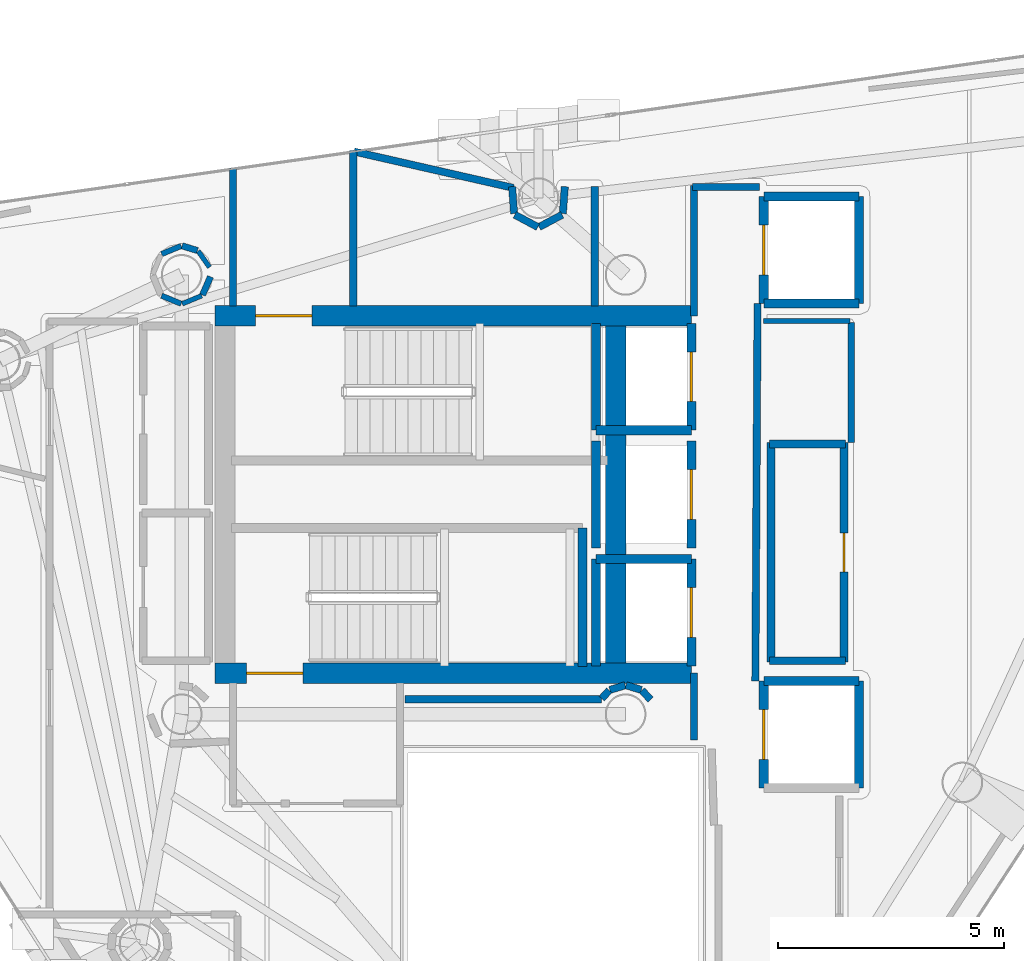
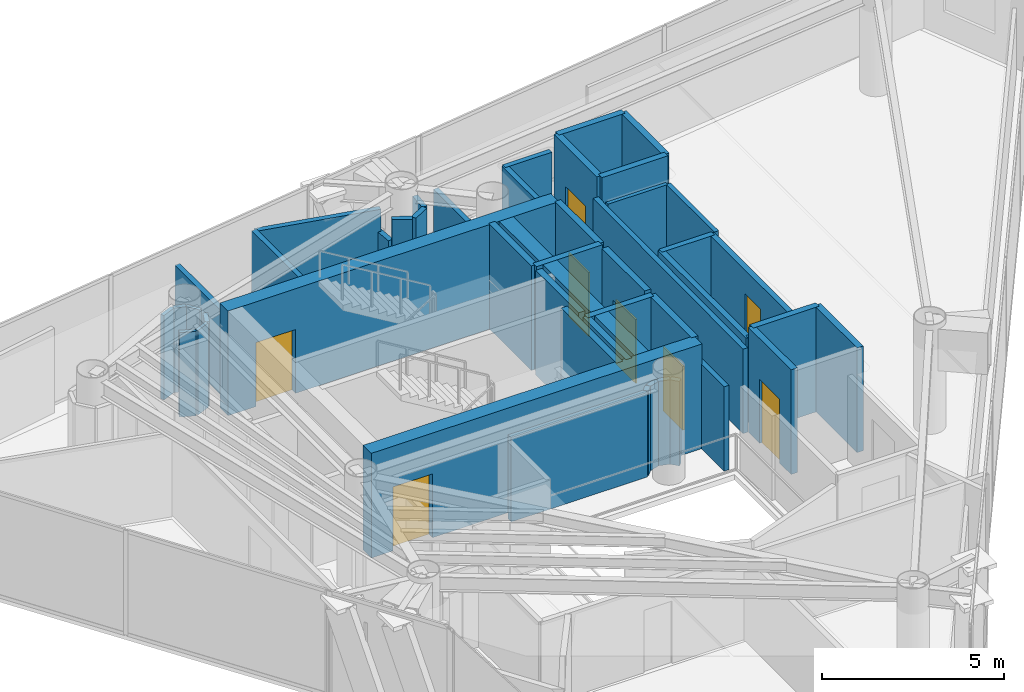
# One storey, part 21 of 25: 48 walls, 8 doors, 8 openings.
"""IFC4 building model written with IfcOpenShell, lengths in metres."""

from ifc_helpers import new_model, si_unit, direction, frame, frame_2d, origin, place, context, subcontext, project, spatial, rectangle, extrude, material, layer, layer_set, type_object, element, fill, save


model = new_model("IFC4")

# Units and contexts
model_context = context("Model", 3, precision=1e-05, world=origin(), true_north=direction((0.0, 1.0)))
body_context = subcontext(model_context, "Body", "Model", "MODEL_VIEW")
ifc_project = project(units=[si_unit("LENGTHUNIT", "METRE"), si_unit("AREAUNIT", "SQUARE_METRE"), si_unit("VOLUMEUNIT", "CUBIC_METRE"), si_unit("PLANEANGLEUNIT", "RADIAN"), si_unit("MASSUNIT", "GRAM", prefix="KILO")], contexts=[model_context])

# Site, building, storey
site_placement = place(None, origin())
site = spatial("IfcSite", under=ifc_project, at=site_placement, CompositionType="ELEMENT")
building_placement = place(site_placement, origin())
building = spatial("IfcBuilding", under=site, at=building_placement, Name="Qianvela Tower", CompositionType="ELEMENT")
storey_placement = place(building_placement, frame((0.0, 0.0, 295.39990234375)))
storey = spatial("IfcBuildingStorey", under=building, at=storey_placement, Name="L76", CompositionType="ELEMENT", Elevation=295.39990234375)

# Wall, opening, door
ifc_material_1 = material(Name="Concrete C50", Category="concrete")
ifc_layer_1 = layer(ifc_material_1, 0.449951171875)
ifc_layer_set_1 = layer_set([ifc_layer_1], Name="Concrete C50")
wall_type_1 = type_object("IfcWallType", Name="WT-CORE-450", PredefinedType="SHEAR", material=ifc_layer_set_1)
wall_1_placement = place(storey_placement, frame((29.330078125, 32.64501953125, 0.0), z_axis=(0.0, 0.0, 1.0), x_axis=(1.0, 0.0, 0.0)))
wall_1 = element("IfcWall", 1, at=wall_1_placement, inside=storey, type_object=wall_type_1, Name="L76 North Core Shear Wall", PredefinedType="SHEAR", context=body_context, shape_type="SweptSolid", body=[
    extrude(rectangle(XDim=10.52001953125, YDim=0.449951171875, at=frame_2d((5.260009765625, 0.0))), origin(), (0.0, 0.0, 1.0), 3.52001953125),
])
opening_1_placement = place(wall_1_placement, frame((0.89501953125, 0.0, 0.0)))
opening_1 = element("IfcOpeningElement", 2, at=opening_1_placement, cuts=wall_1, Name="Opening D-ST1", PredefinedType="OPENING", context=body_context, shape_type="SweptSolid", body=[
    extrude(rectangle(XDim=1.25, YDim=2.14990234375, at=frame_2d((0.625, 1.074951171875))), frame((0.0, 0.23486328125, 0.0), z_axis=(0.0, -1.0, 0.0), x_axis=(1.0, 0.0, 0.0)), (0.0, 0.0, 1.0), 0.469970703125),
])
ifc_material_2 = material(Name="Galvanised Fire Steel Q355B", Category="steel")
door_type_1 = type_object("IfcDoorType", Name="DT-STAIR-FD90", OperationType="NOTDEFINED", PredefinedType="DOOR", material=ifc_material_2)
door_1_placement = place(opening_1_placement, origin())
door_1 = element("IfcDoor", 3, at=door_1_placement, inside=storey, type_object=door_type_1, Name="L76 Stair ST-1 Exit Door", OperationType="SINGLE_SWING_RIGHT", OverallHeight=2.14990234375, OverallWidth=1.25, PredefinedType="DOOR", context=body_context, shape_type="SweptSolid", body=[
    extrude(rectangle(XDim=1.25, YDim=2.14990234375, at=frame_2d((0.625, 1.074951171875))), frame((0.0, 0.02490234375, 0.0), z_axis=(0.0, -1.0, 0.0), x_axis=(1.0, 0.0, 0.0)), (0.0, 0.0, 1.0), 0.050048828125),
])
fill(opening_1, door_1)

wall_2_placement = place(storey_placement, frame((29.330078125, 24.7548828125, 0.0), z_axis=(0.0, 0.0, 1.0), x_axis=(1.0, 0.0, 0.0)))
wall_2 = element("IfcWall", 4, at=wall_2_placement, inside=storey, type_object=wall_type_1, Name="L76 South Core Shear Wall", PredefinedType="SHEAR", context=body_context, shape_type="SweptSolid", body=[
    extrude(rectangle(XDim=10.52001953125, YDim=0.449951171875, at=frame_2d((5.260009765625, 0.0))), origin(), (0.0, 0.0, 1.0), 3.52001953125),
])
opening_2_placement = place(wall_2_placement, frame((0.695068359375, 0.0, 0.0)))
opening_2 = element("IfcOpeningElement", 5, at=opening_2_placement, cuts=wall_2, Name="Opening D-ST1", PredefinedType="OPENING", context=body_context, shape_type="SweptSolid", body=[
    extrude(rectangle(XDim=1.25, YDim=2.14990234375, at=frame_2d((0.625, 1.074951171875))), frame((0.0, 0.23486328125, 0.0), z_axis=(0.0, -1.0, 0.0), x_axis=(1.0, 0.0, 0.0)), (0.0, 0.0, 1.0), 0.469970703125),
])
door_2_placement = place(opening_2_placement, origin())
door_2 = element("IfcDoor", 6, at=door_2_placement, inside=storey, type_object=door_type_1, Name="L76 Stair ST-2 Exit Door", OperationType="SINGLE_SWING_RIGHT", OverallHeight=2.14990234375, OverallWidth=1.25, PredefinedType="DOOR", context=body_context, shape_type="SweptSolid", body=[
    extrude(rectangle(XDim=1.25, YDim=2.14990234375, at=frame_2d((0.625, 1.074951171875))), frame((0.0, 0.02490234375, 0.0), z_axis=(0.0, -1.0, 0.0), x_axis=(1.0, 0.0, 0.0)), (0.0, 0.0, 1.0), 0.050048828125),
])
fill(opening_2, door_2)

# Walls
wall_3_placement = place(storey_placement, frame((38.179931640625, 24.97998046875, 0.0), z_axis=(0.0, 0.0, 1.0), x_axis=(0.0, 1.0, 0.0)))
element("IfcWall", 7, at=wall_3_placement, inside=storey, type_object=wall_type_1, Name="L76 East Spine Core Shear Wall", PredefinedType="SHEAR", context=body_context, shape_type="SweptSolid", body=[
    extrude(rectangle(XDim=7.43994140625, YDim=0.449951171875, at=frame_2d((3.719970703125, 0.0))), origin(), (0.0, 0.0, 1.0), 3.52001953125),
])
ifc_material_3 = material(Name="Fire-Rated Gypsum and Concrete Block", Category="concrete")
ifc_layer_2 = layer(ifc_material_3, 0.159912109375)
ifc_layer_set_2 = layer_set([ifc_layer_2], Name="Fire-Rated Gypsum and Concrete Block")
wall_type_2 = type_object("IfcWallType", Name="WT-CORR-160", PredefinedType="PARTITIONING", material=ifc_layer_set_2)
wall_4_placement = place(storey_placement, frame((29.73095703125, 32.85791015625, 0.0), z_axis=(0.0, 0.0, 1.0), x_axis=(0.0, 1.0, 0.0)))
element("IfcWall", 8, at=wall_4_placement, inside=storey, type_object=wall_type_2, Name="L76 Partition 2", PredefinedType="PARTITIONING", context=body_context, shape_type="SweptSolid", body=[
    extrude(rectangle(XDim=3.052734375, YDim=0.159912109375, at=frame_2d((1.5263671875, 0.0))), origin(), (0.0, 0.0, 1.0), 2.840087890625),
])
wall_5_placement = place(storey_placement, frame((32.388916015625, 36.290283203125, 0.0), z_axis=(0.0, 0.0, 1.0), x_axis=(0.0, -1.0, 0.0)))
element("IfcWall", 9, at=wall_5_placement, inside=storey, type_object=wall_type_2, Name="L76 Partition 4", PredefinedType="PARTITIONING", context=body_context, shape_type="SweptSolid", body=[
    extrude(rectangle(XDim=3.432373046875, YDim=0.159912109375, at=frame_2d((1.71630859375, 0.0))), origin(), (0.0, 0.0, 1.0), 2.840087890625),
])
wall_6_placement = place(storey_placement, frame((39.910888671875, 23.280029296875, 0.0), z_axis=(0.0, 0.0, 1.0), x_axis=(0.0, 1.0, 0.0)))
element("IfcWall", 10, at=wall_6_placement, inside=storey, type_object=wall_type_2, Name="L76 Partition 10", PredefinedType="PARTITIONING", context=body_context, shape_type="SweptSolid", body=[
    extrude(rectangle(XDim=1.47998046875, YDim=0.159912109375, at=frame_2d((0.739990234375, 0.0))), origin(), (0.0, 0.0, 1.0), 2.840087890625),
])
wall_7_placement = place(storey_placement, frame((39.910888671875, 32.639892578125, 0.0), z_axis=(0.0, 0.0, 1.0), x_axis=(0.0, 1.0, 0.0)))
element("IfcWall", 11, at=wall_7_placement, inside=storey, type_object=wall_type_2, Name="L76 Partition 12", PredefinedType="PARTITIONING", context=body_context, shape_type="SweptSolid", body=[
    extrude(rectangle(XDim=2.880126953125, YDim=0.159912109375, at=frame_2d((1.43994140625, 0.0))), origin(), (0.0, 0.0, 1.0), 2.840087890625),
])
wall_8_placement = place(storey_placement, frame((39.8798828125, 35.489013671875, 0.0), z_axis=(0.0, 0.0, 1.0), x_axis=(1.0, 0.0, 0.0)))
element("IfcWall", 12, at=wall_8_placement, inside=storey, type_object=wall_type_2, Name="L76 Partition 13", PredefinedType="PARTITIONING", context=body_context, shape_type="SweptSolid", body=[
    extrude(rectangle(XDim=1.480224609375, YDim=0.159912109375, at=frame_2d((0.740234375, 0.0))), origin(), (0.0, 0.0, 1.0), 2.840087890625),
])
wall_9_placement = place(storey_placement, frame((41.3134765625, 32.919921875, 0.0), z_axis=(0.0, 0.0, 1.0), x_axis=(-0.005942518022, -0.999982343084, 0.0)))
element("IfcWall", 13, at=wall_9_placement, inside=storey, type_object=wall_type_2, Name="L76 Partition 14 seg 2", PredefinedType="PARTITIONING", context=body_context, shape_type="SweptSolid", body=[
    extrude(rectangle(XDim=8.340087890625, YDim=0.159912109375, at=frame_2d((4.169921875, 0.0))), origin(), (0.0, 0.0, 1.0), 2.840087890625),
])
wall_10_placement = place(storey_placement, frame((38.950927734375, 24.1708984375, 0.0), z_axis=(0.0, 0.0, 1.0), x_axis=(-0.674186852077, 0.738560822469, 0.0)))
element("IfcWall", 14, at=wall_10_placement, inside=storey, type_object=wall_type_2, Name="L76 Partition 33", PredefinedType="PARTITIONING", context=body_context, shape_type="SweptSolid", body=[
    extrude(rectangle(XDim=0.28076171875, YDim=0.159912109375, at=frame_2d((0.140380859375, 0.0))), origin(), (0.0, 0.0, 1.0), 2.840087890625),
])
wall_11_placement = place(storey_placement, frame((38.747802734375, 24.386962890625, 0.0), z_axis=(0.0, 0.0, 1.0), x_axis=(-0.956948991291, 0.290256142171, 0.0)))
element("IfcWall", 15, at=wall_11_placement, inside=storey, type_object=wall_type_2, Name="L76 Partition 34", PredefinedType="PARTITIONING", context=body_context, shape_type="SweptSolid", body=[
    extrude(rectangle(XDim=0.35400390625, YDim=0.159912109375, at=frame_2d((0.177001953125, 0.0))), origin(), (0.0, 0.0, 1.0), 2.840087890625),
])
wall_12_placement = place(storey_placement, frame((38.39111328125, 24.48974609375, 0.0), z_axis=(0.0, 0.0, 1.0), x_axis=(-0.957007018611, -0.290064762301, 0.0)))
element("IfcWall", 16, at=wall_12_placement, inside=storey, type_object=wall_type_2, Name="L76 Partition 35", PredefinedType="PARTITIONING", context=body_context, shape_type="SweptSolid", body=[
    extrude(rectangle(XDim=0.354248046875, YDim=0.159912109375, at=frame_2d((0.17724609375, 0.0))), origin(), (0.0, 0.0, 1.0), 2.840087890625),
])
wall_13_placement = place(storey_placement, frame((38.0380859375, 24.378173828125, 0.0), z_axis=(0.0, 0.0, 1.0), x_axis=(-0.673658387955, -0.739042878551, 0.0)))
element("IfcWall", 17, at=wall_13_placement, inside=storey, type_object=wall_type_2, Name="L76 Partition 36", PredefinedType="PARTITIONING", context=body_context, shape_type="SweptSolid", body=[
    extrude(rectangle(XDim=0.246337890625, YDim=0.159912109375, at=frame_2d((0.123046875, 0.0))), origin(), (0.0, 0.0, 1.0), 2.840087890625),
])
wall_14_placement = place(storey_placement, frame((37.8720703125, 24.180908203125, 0.0), z_axis=(0.0, 0.0, 1.0), x_axis=(-1.0, 0.0, 0.0)))
element("IfcWall", 18, at=wall_14_placement, inside=storey, type_object=wall_type_2, Name="L76 Partition 37", PredefinedType="PARTITIONING", context=body_context, shape_type="SweptSolid", body=[
    extrude(rectangle(XDim=4.342041015625, YDim=0.159912109375, at=frame_2d((2.1708984375, 0.0))), origin(), (0.0, 0.0, 1.0), 2.840087890625),
])
wall_15_placement = place(storey_placement, frame((32.4052734375, 36.2724609375, 0.0), z_axis=(0.0, 0.0, 1.0), x_axis=(0.974921840823, -0.222547532645, 0.0)))
element("IfcWall", 19, at=wall_15_placement, inside=storey, type_object=wall_type_2, Name="L76 Partition 51", PredefinedType="PARTITIONING", context=body_context, shape_type="SweptSolid", body=[
    extrude(rectangle(XDim=3.6103515625, YDim=0.159912109375, at=frame_2d((1.80517578125, 0.0))), origin(), (0.0, 0.0, 1.0), 2.840087890625),
])
wall_16_placement = place(storey_placement, frame((35.89404296875, 35.497802734375, 0.0), z_axis=(0.0, 0.0, 1.0), x_axis=(0.07354059826, -0.997292224179, 0.0)))
element("IfcWall", 20, at=wall_16_placement, inside=storey, type_object=wall_type_2, Name="L76 Partition 52", PredefinedType="PARTITIONING", context=body_context, shape_type="SweptSolid", body=[
    extrude(rectangle(XDim=0.59765625, YDim=0.159912109375, at=frame_2d((0.298828125, 0.0))), origin(), (0.0, 0.0, 1.0), 2.09521484375),
])
for number, where, z_axis, x_axis, name in (
    (21, (35.9541015625, 34.876708984375, 0.0), (0.0, 0.0, 1.0), (0.882047254832, -0.471160949405, 0.0), "L76 Partition 53"),
    (22, (36.490478515625, 34.605712890625, 0.0), (0.0, 0.0, 1.0), (0.882047254832, 0.471160949405, 0.0), "L76 Partition 54"),
):
    element("IfcWall", number, at=place(storey_placement, frame(where, z_axis=z_axis, x_axis=x_axis)), inside=storey, type_object=wall_type_2, Name=name, PredefinedType="PARTITIONING", context=body_context, shape_type="SweptSolid", body=[
        extrude(rectangle(XDim=0.5751953125, YDim=0.159912109375, at=frame_2d((0.28759765625, 0.0))), origin(), (0.0, 0.0, 1.0), 2.840087890625),
    ])
wall_17_placement = place(storey_placement, frame((37.01416015625, 34.90185546875, 0.0), z_axis=(0.0, 0.0, 1.0), x_axis=(0.073134230676, 0.997322106595, 0.0)))
element("IfcWall", 23, at=wall_17_placement, inside=storey, type_object=wall_type_2, Name="L76 Partition 55", PredefinedType="PARTITIONING", context=body_context, shape_type="SweptSolid", body=[
    extrude(rectangle(XDim=0.59765625, YDim=0.159912109375, at=frame_2d((0.298828125, 0.0))), origin(), (0.0, 0.0, 1.0), 2.840087890625),
])
wall_18_placement = place(storey_placement, frame((37.718994140625, 35.5, 0.0), z_axis=(0.0, 0.0, 1.0), x_axis=(0.0, -1.0, 0.0)))
element("IfcWall", 24, at=wall_18_placement, inside=storey, type_object=wall_type_2, Name="L76 Partition 57", PredefinedType="PARTITIONING", context=body_context, shape_type="SweptSolid", body=[
    extrude(rectangle(XDim=2.64208984375, YDim=0.159912109375, at=frame_2d((1.321044921875, 0.0))), origin(), (0.0, 0.0, 1.0), 2.840087890625),
])
ifc_material_4 = material(Name="Lightweight Gypsum Room Partition")
ifc_layer_3 = layer(ifc_material_4, 0.10498046875)
ifc_layer_set_3 = layer_set([ifc_layer_3], Name="Lightweight Gypsum Room Partition")
wall_type_3 = type_object("IfcWallType", Name="WT-PART-105", PredefinedType="PARTITIONING", material=ifc_layer_set_3)
wall_19_placement = place(storey_placement, frame((29.214111328125, 33.71875, 0.0), z_axis=(0.0, 0.0, 1.0), x_axis=(-0.57410245878, 0.818783467605, 0.0)))
element("IfcWall", 25, at=wall_19_placement, inside=storey, type_object=wall_type_3, Name="L76 Partition 131", PredefinedType="PARTITIONING", context=body_context, shape_type="SweptSolid", body=[
    extrude(rectangle(XDim=0.43505859375, YDim=0.10498046875, at=frame_2d((0.217529296875, 0.0))), origin(), (0.0, 0.0, 1.0), 2.840087890625),
])
wall_20_placement = place(storey_placement, frame((28.61181640625, 32.911376953125, 0.0), z_axis=(0.0, 0.0, 1.0), x_axis=(0.923863886655, 0.382721202621, 0.0)))
element("IfcWall", 26, at=wall_20_placement, inside=storey, type_object=wall_type_3, Name="L76 Partition 137", PredefinedType="PARTITIONING", context=body_context, shape_type="SweptSolid", body=[
    extrude(rectangle(XDim=0.467041015625, YDim=0.10498046875, at=frame_2d((0.2333984375, 0.0))), origin(), (0.0, 0.0, 1.0), 2.840087890625),
])
ifc_material_5 = material(Name="Insulated Gypsum Stud Partition")
ifc_layer_4 = layer(ifc_material_5, 0.1201171875)
ifc_layer_set_4 = layer_set([ifc_layer_4], Name="Insulated Gypsum Stud Partition")
wall_type_4 = type_object("IfcWallType", Name="WT-PART-120", PredefinedType="PARTITIONING", material=ifc_layer_set_4)
wall_21_placement = place(storey_placement, frame((43.35009765625, 32.531005859375, 0.0), z_axis=(0.0, 0.0, 1.0), x_axis=(-1.0, 0.0, 0.0)))
element("IfcWall", 27, at=wall_21_placement, inside=storey, type_object=wall_type_4, Name="L76 Partition 97", PredefinedType="PARTITIONING", context=body_context, shape_type="SweptSolid", body=[
    extrude(rectangle(XDim=1.91015625, YDim=0.1201171875, at=frame_2d((0.955078125, 0.0))), origin(), (0.0, 0.0, 1.0), 2.840087890625),
])
for number, where, z_axis, x_axis, name in (
    (28, (28.588134765625, 34.188720703125, 0.0), (0.0, 0.0, 1.0), (-0.923863886655, -0.382721202621, 0.0), "L76 Partition 133"),
    (29, (28.15673828125, 33.090087890625, 0.0), (0.0, 0.0, 1.0), (0.923863886655, -0.382721202621, 0.0), "L76 Partition 136"),
):
    element("IfcWall", number, at=place(storey_placement, frame(where, z_axis=z_axis, x_axis=x_axis)), inside=storey, type_object=wall_type_4, Name=name, PredefinedType="PARTITIONING", context=body_context, shape_type="SweptSolid", body=[
        extrude(rectangle(XDim=0.467041015625, YDim=0.1201171875, at=frame_2d((0.2333984375, 0.0))), origin(), (0.0, 0.0, 1.0), 2.840087890625),
    ])
ifc_material_6 = material(Name="Moisture-Resistant Acoustic Plumbing Wall")
ifc_layer_5 = layer(ifc_material_6, 0.175048828125)
ifc_layer_set_5 = layer_set([ifc_layer_5], Name="Moisture-Resistant Acoustic Plumbing Wall")
wall_type_5 = type_object("IfcWallType", Name="WT-PLUMB-175", PredefinedType="PLUMBINGWALL", material=ifc_layer_set_5)
wall_22_placement = place(storey_placement, frame((43.25, 25.031005859375, 0.0), z_axis=(0.0, 0.0, 1.0), x_axis=(-1.0, 0.0, 0.0)))
element("IfcWall", 30, at=wall_22_placement, inside=storey, type_object=wall_type_5, Name="L76 Partition 19", PredefinedType="PLUMBINGWALL", context=body_context, shape_type="SweptSolid", body=[
    extrude(rectangle(XDim=1.669921875, YDim=0.175048828125, at=frame_2d((0.8349609375, 0.0))), origin(), (0.0, 0.0, 1.0), 2.840087890625),
])
wall_23_placement = place(storey_placement, frame((41.611083984375, 25.0, 0.0), z_axis=(0.0, 0.0, 1.0), x_axis=(0.0, 1.0, 0.0)))
element("IfcWall", 31, at=wall_23_placement, inside=storey, type_object=wall_type_5, Name="L76 Partition 20", PredefinedType="PLUMBINGWALL", context=body_context, shape_type="SweptSolid", body=[
    extrude(rectangle(XDim=4.85009765625, YDim=0.175048828125, at=frame_2d((2.425048828125, 0.0))), origin(), (0.0, 0.0, 1.0), 2.840087890625),
])
wall_24_placement = place(storey_placement, frame((41.580078125, 29.819091796875, 0.0), z_axis=(0.0, 0.0, 1.0), x_axis=(1.0, 0.0, 0.0)))
element("IfcWall", 32, at=wall_24_placement, inside=storey, type_object=wall_type_5, Name="L76 Partition 21", PredefinedType="PLUMBINGWALL", context=body_context, shape_type="SweptSolid", body=[
    extrude(rectangle(XDim=1.669921875, YDim=0.175048828125, at=frame_2d((0.8349609375, 0.0))), origin(), (0.0, 0.0, 1.0), 2.840087890625),
])

# Wall, opening, door
wall_25_placement = place(storey_placement, frame((43.218994140625, 29.85009765625, 0.0), z_axis=(0.0, 0.0, 1.0), x_axis=(0.0, -1.0, 0.0)))
wall_25 = element("IfcWall", 33, at=wall_25_placement, inside=storey, type_object=wall_type_5, Name="L76 Partition 22", PredefinedType="PLUMBINGWALL", context=body_context, shape_type="SweptSolid", body=[
    extrude(rectangle(XDim=4.85009765625, YDim=0.175048828125, at=frame_2d((2.425048828125, 0.0))), origin(), (0.0, 0.0, 1.0), 2.840087890625),
])
opening_3_placement = place(wall_25_placement, frame((1.9951171875, 0.0, 0.0)))
opening_3 = element("IfcOpeningElement", 34, at=opening_3_placement, cuts=wall_25, Name="Opening D-WC1", PredefinedType="OPENING", context=body_context, shape_type="SweptSolid", body=[
    extrude(rectangle(XDim=0.860107421875, YDim=2.050048828125, at=frame_2d((0.43017578125, 1.02490234375))), frame((0.0, 0.097412109375, 0.0), z_axis=(0.0, -1.0, 0.0), x_axis=(1.0, 0.0, 0.0)), (0.0, 0.0, 1.0), 0.195068359375),
])
ifc_material_7 = material(Name="Moisture-Sealed Acoustic Timber Door", Category="wood")
door_type_2 = type_object("IfcDoorType", Name="DT-WC-860", OperationType="NOTDEFINED", PredefinedType="DOOR", material=ifc_material_7)
door_3_placement = place(opening_3_placement, origin())
door_3 = element("IfcDoor", 35, at=door_3_placement, inside=storey, type_object=door_type_2, Name="L76 Door L76 Accessible WC to Campus Convenience Shop L76-03", OperationType="SINGLE_SWING_RIGHT", OverallHeight=2.050048828125, OverallWidth=0.860107421875, PredefinedType="DOOR", context=body_context, shape_type="SweptSolid", body=[
    extrude(rectangle(XDim=0.860107421875, YDim=2.050048828125, at=frame_2d((0.43017578125, 1.02490234375))), frame((0.0, 0.02490234375, 0.0), z_axis=(0.0, -1.0, 0.0), x_axis=(1.0, 0.0, 0.0)), (0.0, 0.0, 1.0), 0.050048828125),
])
fill(opening_3, door_3)

# Walls
ifc_material_8 = material(Name="Acoustic Double Gypsum Stud Partition")
ifc_layer_6 = layer(ifc_material_8, 0.139892578125)
ifc_layer_set_6 = layer_set([ifc_layer_6], Name="Acoustic Double Gypsum Stud Partition")
wall_type_6 = type_object("IfcWallType", Name="WT-ROOM-140", PredefinedType="PARTITIONING", material=ifc_layer_set_6)
wall_26_placement = place(storey_placement, frame((43.381103515625, 29.85009765625, 0.0), z_axis=(0.0, 0.0, 1.0), x_axis=(0.0, 1.0, 0.0)))
element("IfcWall", 36, at=wall_26_placement, inside=storey, type_object=wall_type_6, Name="L76 Partition 96 seg 2", PredefinedType="PARTITIONING", context=body_context, shape_type="SweptSolid", body=[
    extrude(rectangle(XDim=2.64990234375, YDim=0.139892578125, at=frame_2d((1.324951171875, 0.0))), origin(), (0.0, 0.0, 1.0), 2.840087890625),
])
wall_27_placement = place(storey_placement, frame((28.947998046875, 34.0869140625, 0.0), z_axis=(0.0, 0.0, 1.0), x_axis=(-0.957007018611, 0.290064762301, 0.0)))
element("IfcWall", 37, at=wall_27_placement, inside=storey, type_object=wall_type_6, Name="L76 Partition 132", PredefinedType="PARTITIONING", context=body_context, shape_type="SweptSolid", body=[
    extrude(rectangle(XDim=0.354248046875, YDim=0.139892578125, at=frame_2d((0.17724609375, 0.0))), origin(), (0.0, 0.0, 1.0), 2.840087890625),
])
wall_28_placement = place(storey_placement, frame((29.059814453125, 33.106201171875, 0.0), z_axis=(0.0, 0.0, 1.0), x_axis=(0.400352069216, 0.916361402872, 0.0)))
element("IfcWall", 38, at=wall_28_placement, inside=storey, type_object=wall_type_6, Name="L76 Partition 138", PredefinedType="PARTITIONING", context=body_context, shape_type="SweptSolid", body=[
    extrude(rectangle(XDim=0.43896484375, YDim=0.139892578125, at=frame_2d((0.219482421875, 0.0))), origin(), (0.0, 0.0, 1.0), 2.840087890625),
])
ifc_material_9 = material(Name="Concrete C50", Category="concrete")
ifc_layer_7 = layer(ifc_material_9, 0.199951171875)
ifc_layer_set_7 = layer_set([ifc_layer_7], Name="Concrete C50")
wall_type_7 = type_object("IfcWallType", Name="WT-SHAFT-200", PredefinedType="SOLIDWALL", material=ifc_layer_set_7)
wall_29_placement = place(storey_placement, frame((37.449951171875, 24.89990234375, 0.0), z_axis=(0.0, 0.0, 1.0), x_axis=(0.0, 1.0, 0.0)))
element("IfcWall", 39, at=wall_29_placement, inside=storey, type_object=wall_type_7, Name="L76 Stair ST-2 East Wall", PredefinedType="SOLIDWALL", context=body_context, shape_type="SweptSolid", body=[
    extrude(rectangle(XDim=3.06005859375, YDim=0.199951171875, at=frame_2d((1.530029296875, 0.0))), origin(), (0.0, 0.0, 1.0), 3.52001953125),
])

# Wall, opening, door
wall_30_placement = place(storey_placement, frame((39.85009765625, 30.1201171875, 0.0), z_axis=(0.0, 0.0, 1.0), x_axis=(0.0, 1.0, 0.0)))
wall_30 = element("IfcWall", 40, at=wall_30_placement, inside=storey, type_object=wall_type_7, Name="L76 Lift FL-1 E Shaft Wall", PredefinedType="SOLIDWALL", context=body_context, shape_type="SweptSolid", body=[
    extrude(rectangle(XDim=2.35986328125, YDim=0.199951171875, at=frame_2d((1.179931640625, 0.0))), origin(), (0.0, 0.0, 1.0), 3.52001953125),
])
opening_4_placement = place(wall_30_placement, frame((0.6298828125, 0.0, 0.0)))
opening_4 = element("IfcOpeningElement", 41, at=opening_4_placement, cuts=wall_30, Name="Opening LD-01", PredefinedType="OPENING", context=body_context, shape_type="SweptSolid", body=[
    extrude(rectangle(XDim=1.10009765625, YDim=2.14990234375, at=frame_2d((0.550048828125, 1.074951171875))), frame((0.0, 0.10986328125, 0.0), z_axis=(0.0, -1.0, 0.0), x_axis=(1.0, 0.0, 0.0)), (0.0, 0.0, 1.0), 0.219970703125),
])
ifc_material_10 = material(Name="Brushed Stainless Steel Lift Landing Door", Category="steel")
door_type_3 = type_object("IfcDoorType", Name="DT-LIFT-SLIDE-1100", OperationType="SLIDING_TO_LEFT", PredefinedType="DOOR", material=ifc_material_10)
door_4_placement = place(opening_4_placement, origin())
door_4 = element("IfcDoor", 42, at=door_4_placement, inside=storey, type_object=door_type_3, Name="L76 Lift FL-1 Sliding Landing Door", OperationType="SLIDING_TO_LEFT", OverallHeight=2.14990234375, OverallWidth=1.10009765625, PredefinedType="DOOR", context=body_context, shape_type="SweptSolid", body=[
    extrude(rectangle(XDim=1.10009765625, YDim=2.14990234375, at=frame_2d((0.550048828125, 1.074951171875))), frame((0.0, 0.02490234375, 0.0), z_axis=(0.0, -1.0, 0.0), x_axis=(1.0, 0.0, 0.0)), (0.0, 0.0, 1.0), 0.050048828125),
])
fill(opening_4, door_4)

# Walls
wall_31_placement = place(storey_placement, frame((37.75, 30.1201171875, 0.0), z_axis=(0.0, 0.0, 1.0), x_axis=(0.0, 1.0, 0.0)))
element("IfcWall", 43, at=wall_31_placement, inside=storey, type_object=wall_type_7, Name="L76 Lift FL-1 W Shaft Wall", PredefinedType="SOLIDWALL", context=body_context, shape_type="SweptSolid", body=[
    extrude(rectangle(XDim=2.35986328125, YDim=0.199951171875, at=frame_2d((1.179931640625, 0.0))), origin(), (0.0, 0.0, 1.0), 3.52001953125),
])
wall_32_placement = place(storey_placement, frame((37.75, 30.1201171875, 0.0), z_axis=(0.0, 0.0, 1.0), x_axis=(1.0, 0.0, 0.0)))
element("IfcWall", 44, at=wall_32_placement, inside=storey, type_object=wall_type_7, Name="L76 Lift FL-1 S Shaft Wall", PredefinedType="SOLIDWALL", context=body_context, shape_type="SweptSolid", body=[
    extrude(rectangle(XDim=2.10009765625, YDim=0.199951171875, at=frame_2d((1.050048828125, 0.0))), origin(), (0.0, 0.0, 1.0), 3.52001953125),
])

# Wall, opening, door
wall_33_placement = place(storey_placement, frame((39.85009765625, 24.919921875, 0.0), z_axis=(0.0, 0.0, 1.0), x_axis=(0.0, 1.0, 0.0)))
wall_33 = element("IfcWall", 45, at=wall_33_placement, inside=storey, type_object=wall_type_7, Name="L76 Lift FL-2 E Shaft Wall", PredefinedType="SOLIDWALL", context=body_context, shape_type="SweptSolid", body=[
    extrude(rectangle(XDim=2.360107421875, YDim=0.199951171875, at=frame_2d((1.18017578125, 0.0))), origin(), (0.0, 0.0, 1.0), 3.52001953125),
])
opening_5_placement = place(wall_33_placement, frame((0.6298828125, 0.0, 0.0)))
opening_5 = element("IfcOpeningElement", 46, at=opening_5_placement, cuts=wall_33, Name="Opening LD-01", PredefinedType="OPENING", context=body_context, shape_type="SweptSolid", body=[
    extrude(rectangle(XDim=1.10009765625, YDim=2.14990234375, at=frame_2d((0.550048828125, 1.074951171875))), frame((0.0, 0.10986328125, 0.0), z_axis=(0.0, -1.0, 0.0), x_axis=(1.0, 0.0, 0.0)), (0.0, 0.0, 1.0), 0.219970703125),
])
door_5_placement = place(opening_5_placement, origin())
door_5 = element("IfcDoor", 47, at=door_5_placement, inside=storey, type_object=door_type_3, Name="L76 Lift FL-2 Sliding Landing Door", OperationType="SLIDING_TO_LEFT", OverallHeight=2.14990234375, OverallWidth=1.10009765625, PredefinedType="DOOR", context=body_context, shape_type="SweptSolid", body=[
    extrude(rectangle(XDim=1.10009765625, YDim=2.14990234375, at=frame_2d((0.550048828125, 1.074951171875))), frame((0.0, 0.02490234375, 0.0), z_axis=(0.0, -1.0, 0.0), x_axis=(1.0, 0.0, 0.0)), (0.0, 0.0, 1.0), 0.050048828125),
])
fill(opening_5, door_5)

# Walls
wall_34_placement = place(storey_placement, frame((37.75, 24.919921875, 0.0), z_axis=(0.0, 0.0, 1.0), x_axis=(0.0, 1.0, 0.0)))
element("IfcWall", 48, at=wall_34_placement, inside=storey, type_object=wall_type_7, Name="L76 Lift FL-2 W Shaft Wall", PredefinedType="SOLIDWALL", context=body_context, shape_type="SweptSolid", body=[
    extrude(rectangle(XDim=2.360107421875, YDim=0.199951171875, at=frame_2d((1.18017578125, 0.0))), origin(), (0.0, 0.0, 1.0), 3.52001953125),
])
wall_35_placement = place(storey_placement, frame((37.75, 27.280029296875, 0.0), z_axis=(0.0, 0.0, 1.0), x_axis=(1.0, 0.0, 0.0)))
element("IfcWall", 49, at=wall_35_placement, inside=storey, type_object=wall_type_7, Name="L76 Lift FL-2 N Shaft Wall", PredefinedType="SOLIDWALL", context=body_context, shape_type="SweptSolid", body=[
    extrude(rectangle(XDim=2.10009765625, YDim=0.199951171875, at=frame_2d((1.050048828125, 0.0))), origin(), (0.0, 0.0, 1.0), 3.52001953125),
])

# Wall, opening, door
wall_36_placement = place(storey_placement, frame((39.85009765625, 27.52001953125, 0.0), z_axis=(0.0, 0.0, 1.0), x_axis=(0.0, 1.0, 0.0)))
wall_36 = element("IfcWall", 50, at=wall_36_placement, inside=storey, type_object=wall_type_7, Name="L76 Lift PL-H1 E Shaft Wall", PredefinedType="SOLIDWALL", context=body_context, shape_type="SweptSolid", body=[
    extrude(rectangle(XDim=2.35986328125, YDim=0.199951171875, at=frame_2d((1.179931640625, 0.0))), origin(), (0.0, 0.0, 1.0), 3.52001953125),
])
opening_6_placement = place(wall_36_placement, frame((0.6298828125, 0.0, 0.0)))
opening_6 = element("IfcOpeningElement", 51, at=opening_6_placement, cuts=wall_36, Name="Opening LD-01", PredefinedType="OPENING", context=body_context, shape_type="SweptSolid", body=[
    extrude(rectangle(XDim=1.10009765625, YDim=2.14990234375, at=frame_2d((0.550048828125, 1.074951171875))), frame((0.0, 0.10986328125, 0.0), z_axis=(0.0, -1.0, 0.0), x_axis=(1.0, 0.0, 0.0)), (0.0, 0.0, 1.0), 0.219970703125),
])
door_6_placement = place(opening_6_placement, origin())
door_6 = element("IfcDoor", 52, at=door_6_placement, inside=storey, type_object=door_type_3, Name="L76 Lift PL-H1 Sliding Landing Door", OperationType="SLIDING_TO_LEFT", OverallHeight=2.14990234375, OverallWidth=1.10009765625, PredefinedType="DOOR", context=body_context, shape_type="SweptSolid", body=[
    extrude(rectangle(XDim=1.10009765625, YDim=2.14990234375, at=frame_2d((0.550048828125, 1.074951171875))), frame((0.0, 0.02490234375, 0.0), z_axis=(0.0, -1.0, 0.0), x_axis=(1.0, 0.0, 0.0)), (0.0, 0.0, 1.0), 0.050048828125),
])
fill(opening_6, door_6)

# Walls
wall_37_placement = place(storey_placement, frame((37.75, 27.52001953125, 0.0), z_axis=(0.0, 0.0, 1.0), x_axis=(0.0, 1.0, 0.0)))
element("IfcWall", 53, at=wall_37_placement, inside=storey, type_object=wall_type_7, Name="L76 Lift PL-H1 W Shaft Wall", PredefinedType="SOLIDWALL", context=body_context, shape_type="SweptSolid", body=[
    extrude(rectangle(XDim=2.35986328125, YDim=0.199951171875, at=frame_2d((1.179931640625, 0.0))), origin(), (0.0, 0.0, 1.0), 3.52001953125),
])
wall_38_placement = place(storey_placement, frame((43.550048828125, 22.219970703125, 0.0), z_axis=(0.0, 0.0, 1.0), x_axis=(0.0, 1.0, 0.0)))
element("IfcWall", 54, at=wall_38_placement, inside=storey, type_object=wall_type_7, Name="L76 Lift PL-H2 E Shaft Wall", PredefinedType="SOLIDWALL", context=body_context, shape_type="SweptSolid", body=[
    extrude(rectangle(XDim=2.360107421875, YDim=0.199951171875, at=frame_2d((1.18017578125, 0.0))), origin(), (0.0, 0.0, 1.0), 3.52001953125),
])

# Wall, opening, door
wall_39_placement = place(storey_placement, frame((41.449951171875, 22.219970703125, 0.0), z_axis=(0.0, 0.0, 1.0), x_axis=(0.0, 1.0, 0.0)))
wall_39 = element("IfcWall", 55, at=wall_39_placement, inside=storey, type_object=wall_type_7, Name="L76 Lift PL-H2 W Shaft Wall", PredefinedType="SOLIDWALL", context=body_context, shape_type="SweptSolid", body=[
    extrude(rectangle(XDim=2.360107421875, YDim=0.199951171875, at=frame_2d((1.18017578125, 0.0))), origin(), (0.0, 0.0, 1.0), 3.52001953125),
])
opening_7_placement = place(wall_39_placement, frame((0.6298828125, 0.0, 0.0)))
opening_7 = element("IfcOpeningElement", 56, at=opening_7_placement, cuts=wall_39, Name="Opening LD-01", PredefinedType="OPENING", context=body_context, shape_type="SweptSolid", body=[
    extrude(rectangle(XDim=1.10009765625, YDim=2.14990234375, at=frame_2d((0.550048828125, 1.074951171875))), frame((0.0, 0.10986328125, 0.0), z_axis=(0.0, -1.0, 0.0), x_axis=(1.0, 0.0, 0.0)), (0.0, 0.0, 1.0), 0.219970703125),
])
door_7_placement = place(opening_7_placement, origin())
door_7 = element("IfcDoor", 57, at=door_7_placement, inside=storey, type_object=door_type_3, Name="L76 Lift PL-H2 Sliding Landing Door", OperationType="SLIDING_TO_LEFT", OverallHeight=2.14990234375, OverallWidth=1.10009765625, PredefinedType="DOOR", context=body_context, shape_type="SweptSolid", body=[
    extrude(rectangle(XDim=1.10009765625, YDim=2.14990234375, at=frame_2d((0.550048828125, 1.074951171875))), frame((0.0, 0.02490234375, 0.0), z_axis=(0.0, -1.0, 0.0), x_axis=(1.0, 0.0, 0.0)), (0.0, 0.0, 1.0), 0.050048828125),
])
fill(opening_7, door_7)

# Walls
wall_40_placement = place(storey_placement, frame((41.449951171875, 24.580078125, 0.0), z_axis=(0.0, 0.0, 1.0), x_axis=(1.0, 0.0, 0.0)))
element("IfcWall", 58, at=wall_40_placement, inside=storey, type_object=wall_type_7, Name="L76 Lift PL-H2 N Shaft Wall", PredefinedType="SOLIDWALL", context=body_context, shape_type="SweptSolid", body=[
    extrude(rectangle(XDim=2.10009765625, YDim=0.199951171875, at=frame_2d((1.050048828125, 0.0))), origin(), (0.0, 0.0, 1.0), 3.52001953125),
])
wall_41_placement = place(storey_placement, frame((43.550048828125, 32.919921875, 0.0), z_axis=(0.0, 0.0, 1.0), x_axis=(0.0, 1.0, 0.0)))
element("IfcWall", 59, at=wall_41_placement, inside=storey, type_object=wall_type_7, Name="L76 Lift PL-H3 E Shaft Wall", PredefinedType="SOLIDWALL", context=body_context, shape_type="SweptSolid", body=[
    extrude(rectangle(XDim=2.360107421875, YDim=0.199951171875, at=frame_2d((1.18017578125, 0.0))), origin(), (0.0, 0.0, 1.0), 3.52001953125),
])

# Wall, opening, door
wall_42_placement = place(storey_placement, frame((41.449951171875, 32.919921875, 0.0), z_axis=(0.0, 0.0, 1.0), x_axis=(0.0, 1.0, 0.0)))
wall_42 = element("IfcWall", 60, at=wall_42_placement, inside=storey, type_object=wall_type_7, Name="L76 Lift PL-H3 W Shaft Wall", PredefinedType="SOLIDWALL", context=body_context, shape_type="SweptSolid", body=[
    extrude(rectangle(XDim=2.360107421875, YDim=0.199951171875, at=frame_2d((1.18017578125, 0.0))), origin(), (0.0, 0.0, 1.0), 3.52001953125),
])
opening_8_placement = place(wall_42_placement, frame((0.6298828125, 0.0, 0.0)))
opening_8 = element("IfcOpeningElement", 61, at=opening_8_placement, cuts=wall_42, Name="Opening LD-01", PredefinedType="OPENING", context=body_context, shape_type="SweptSolid", body=[
    extrude(rectangle(XDim=1.10009765625, YDim=2.14990234375, at=frame_2d((0.550048828125, 1.074951171875))), frame((0.0, 0.10986328125, 0.0), z_axis=(0.0, -1.0, 0.0), x_axis=(1.0, 0.0, 0.0)), (0.0, 0.0, 1.0), 0.219970703125),
])
door_8_placement = place(opening_8_placement, origin())
door_8 = element("IfcDoor", 62, at=door_8_placement, inside=storey, type_object=door_type_3, Name="L76 Lift PL-H3 Sliding Landing Door", OperationType="SLIDING_TO_LEFT", OverallHeight=2.14990234375, OverallWidth=1.10009765625, PredefinedType="DOOR", context=body_context, shape_type="SweptSolid", body=[
    extrude(rectangle(XDim=1.10009765625, YDim=2.14990234375, at=frame_2d((0.550048828125, 1.074951171875))), frame((0.0, 0.02490234375, 0.0), z_axis=(0.0, -1.0, 0.0), x_axis=(1.0, 0.0, 0.0)), (0.0, 0.0, 1.0), 0.050048828125),
])
fill(opening_8, door_8)

# Walls
for number, where, z_axis, x_axis, name in (
    (63, (41.449951171875, 35.280029296875, 0.0), (0.0, 0.0, 1.0), (1.0, 0.0, 0.0), "L76 Lift PL-H3 N Shaft Wall"),
    (64, (41.449951171875, 32.919921875, 0.0), (0.0, 0.0, 1.0), (1.0, 0.0, 0.0), "L76 Lift PL-H3 S Shaft Wall"),
):
    element("IfcWall", number, at=place(storey_placement, frame(where, z_axis=z_axis, x_axis=x_axis)), inside=storey, type_object=wall_type_7, Name=name, PredefinedType="SOLIDWALL", context=body_context, shape_type="SweptSolid", body=[
        extrude(rectangle(XDim=2.10009765625, YDim=0.199951171875, at=frame_2d((1.050048828125, 0.0))), origin(), (0.0, 0.0, 1.0), 3.52001953125),
    ])

save(model, "model.ifc")
